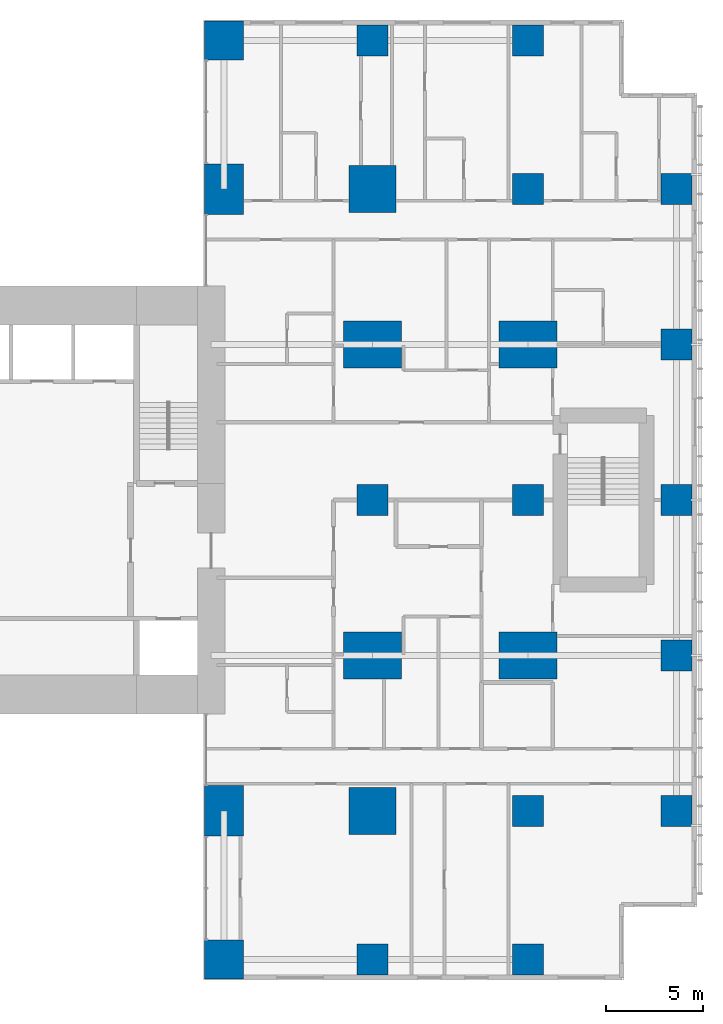
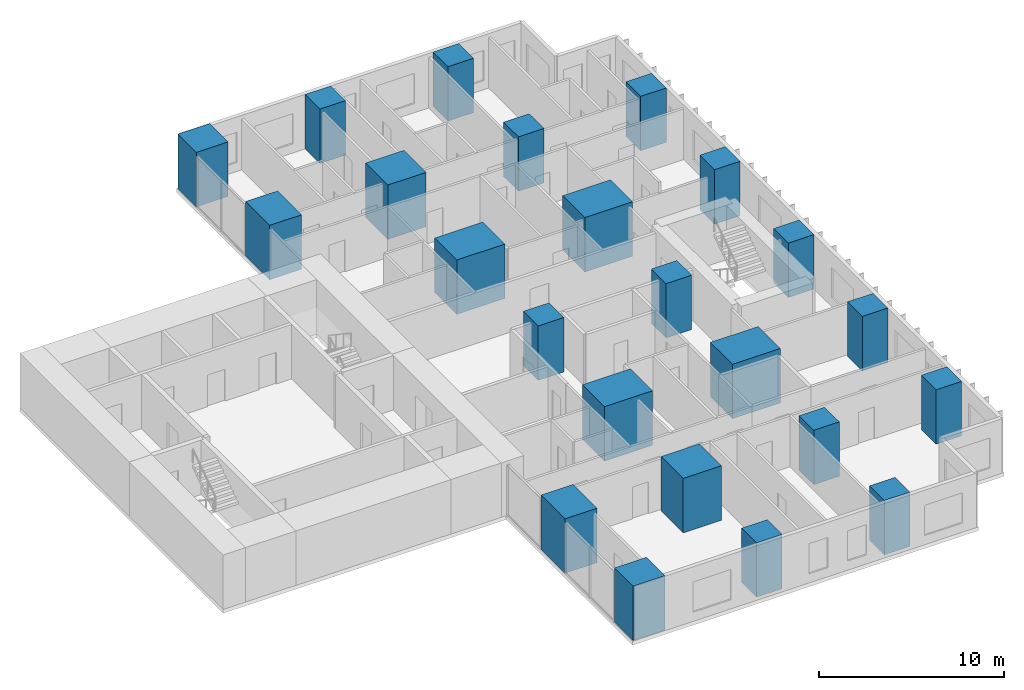
# One storey, part 1 of 12: 23 columns.
"""IFC4 building model written with IfcOpenShell, lengths in metres."""

import ifcopenshell
import ifcopenshell.guid

model = None  # the IFC model being written
_history = None  # IfcOwnerHistory: only IFC2X3 demands one
_inside = {}  # id of a spatial element -> (the spatial element, [elements in it])
_under = {}  # id of a project, library or spatial element -> (it, [spatial elements below it])
_declared = {}  # id of a project -> (the project, [libraries it declares])
_typed = {}  # id of a type object -> (the type object, [elements of that type])
_made_of = {}  # id of a material, layer set ... -> (it, [elements and type objects made of it])


def new_model(schema):
    """Start an empty IFC model of exactly this schema.

    Asked for "IFC4X3", IfcOpenShell would pick the latest addendum, in which some entities
    have other attributes; the version numbers below select the first issue.
    IFC2X3 requires an IfcOwnerHistory on every rooted entity: one is made here for all.
    """
    global model, _history
    if schema == "IFC4X3":
        model = ifcopenshell.file(schema_version=(4, 3, 0, 0))
    else:
        model = ifcopenshell.file(schema=schema)
    _inside.clear()
    _under.clear()
    _declared.clear()
    _typed.clear()
    _made_of.clear()
    _history = None
    if model.schema == "IFC2X3":
        org = make("IfcOrganization", Name="unknown")
        user = make(
            "IfcPersonAndOrganization",
            ThePerson=make("IfcPerson", FamilyName="unknown"),
            TheOrganization=org,
        )
        app = make(
            "IfcApplication",
            ApplicationDeveloper=org,
            Version="unknown",
            ApplicationFullName="unknown",
            ApplicationIdentifier="unknown",
        )
        _history = make(
            "IfcOwnerHistory",
            OwningUser=user,
            OwningApplication=app,
            ChangeAction="ADDED",
            CreationDate=0,
        )
    return model


def make(cls, **values):
    """One entity of the class cls with the attributes given. An attribute that is None is left unset."""
    return model.create_entity(
        cls, **{name: value for name, value in values.items() if value is not None}
    )


def rooted(cls, **values):
    """An entity with a GlobalId (a new one), such as an element, a storey or a relation."""
    return make(cls, GlobalId=ifcopenshell.guid.new(), OwnerHistory=_history, **values)


def si_unit(unit_type, name, prefix=None):
    """IfcSIUnit, for example si_unit("LENGTHUNIT", "METRE", prefix="MILLI")."""
    return make("IfcSIUnit", UnitType=unit_type, Prefix=prefix, Name=name)


def assignment(units):
    """IfcUnitAssignment: the units of a project."""
    return None if units is None else make("IfcUnitAssignment", Units=units)


def point(xyz):
    """IfcCartesianPoint."""
    return None if xyz is None else make("IfcCartesianPoint", Coordinates=xyz)


def direction(xyz):
    """IfcDirection."""
    return None if xyz is None else make("IfcDirection", DirectionRatios=xyz)


def frame(location, z_axis=None, x_axis=None):
    """IfcAxis2Placement3D, a coordinate frame: its origin and axes. An axis left out is left unset."""
    return make(
        "IfcAxis2Placement3D",
        Location=point(location),
        Axis=direction(z_axis),
        RefDirection=direction(x_axis),
    )


def frame_2d(location, x_axis=None):
    """IfcAxis2Placement2D, a coordinate frame in the plane: its origin and x axis."""
    return make(
        "IfcAxis2Placement2D", Location=point(location), RefDirection=direction(x_axis)
    )


def origin():
    """The frame at (0, 0, 0) with its axes left unset."""
    return frame((0.0, 0.0, 0.0))


def origin_2d():
    """The frame at (0, 0) in the plane with its x axis left unset."""
    return frame_2d((0.0, 0.0))


def place(relative_to, where):
    """IfcLocalPlacement: puts the frame where relative to a parent placement (None: the world)."""
    return make(
        "IfcLocalPlacement", PlacementRelTo=relative_to, RelativePlacement=where
    )


def context(
    kind, dimensions, precision=None, world=None, true_north=None, identifier=None
):
    """IfcGeometricRepresentationContext, for example the 3D "Model" context."""
    return make(
        "IfcGeometricRepresentationContext",
        ContextIdentifier=identifier,
        ContextType=kind,
        CoordinateSpaceDimension=dimensions,
        Precision=precision,
        WorldCoordinateSystem=world,
        TrueNorth=true_north,
    )


def subcontext(parent, identifier, kind, view, scale=None):
    """IfcGeometricRepresentationSubContext, for example "Body" below "Model"."""
    return make(
        "IfcGeometricRepresentationSubContext",
        ContextIdentifier=identifier,
        ContextType=kind,
        ParentContext=parent,
        TargetScale=scale,
        TargetView=view,
    )


def project(units=None, contexts=None):
    """IfcProject with its units and contexts."""
    return rooted(
        "IfcProject",
        Name="project",
        RepresentationContexts=contexts,
        UnitsInContext=assignment(units),
    )


def spatial(cls, under=None, at=None, **own):
    """A site, building, storey or space (cls), placed at a placement, below another one or the project."""
    s = rooted(cls, ObjectPlacement=at, **own)
    if under is not None:
        _under.setdefault(under.id(), (under, []))[1].append(s)
    return s


def profile(cls, at=None, kind="AREA", **sizes):
    """A parametric profile (cls). Its sizes go by their IFC names, for example OverallWidth=200.0."""
    return make(cls, ProfileType=kind, Position=at, **sizes)


def rectangle(**sizes):
    """IfcRectangleProfileDef."""
    return profile("IfcRectangleProfileDef", **sizes)


def extrude(swept, where, along, depth):
    """IfcExtrudedAreaSolid: the profile swept, set in the frame where, extruded along a direction by depth."""
    return make(
        "IfcExtrudedAreaSolid",
        SweptArea=swept,
        Position=where,
        ExtrudedDirection=direction(along),
        Depth=depth,
    )


def shape(context_of_items, identifier, shape_type, items):
    """IfcShapeRepresentation: the items that make up one representation, for example the "Body"."""
    return make(
        "IfcShapeRepresentation",
        ContextOfItems=context_of_items,
        RepresentationIdentifier=identifier,
        RepresentationType=shape_type,
        Items=items,
    )


def material(Name=None, Category=None):
    """IfcMaterial."""
    return make("IfcMaterial", Name=Name, Category=Category)


def material_profile(
    of_material, cross_section, Name=None, Category=None, Priority=None
):
    """IfcMaterialProfile: a cross section and its material."""
    return make(
        "IfcMaterialProfile",
        Name=Name,
        Material=of_material,
        Profile=cross_section,
        Priority=Priority,
        Category=Category,
    )


def profile_set(profiles, Name=None, composite=None):
    """IfcMaterialProfileSet."""
    return make(
        "IfcMaterialProfileSet",
        Name=Name,
        MaterialProfiles=profiles,
        CompositeProfile=composite,
    )


def made_of(thing, what):
    """Note that an element or type object is made of a material, layer set ...; save() writes the relation."""
    if what is not None:
        _made_of.setdefault(what.id(), (what, []))[1].append(thing)
    return thing


def type_object(cls, material=None, **own):
    """A type object (cls), such as IfcWallType, which elements share."""
    return made_of(rooted(cls, **own), material)


def element(
    cls,
    number,
    at=None,
    inside=None,
    cuts=None,
    type_object=None,
    material=None,
    context=None,
    identifier="Body",
    shape_type=None,
    held_by="IfcProductDefinitionShape",
    body=None,
    shapes=None,
    **own,
):
    """One element of the class cls, such as IfcWall. Its Tag is "e" and its number.

    at: its placement. inside: the storey or other place that contains it. cuts: it is an
    opening in that element (IfcRelVoidsElement). A single representation is given by context,
    identifier, shape_type and body (its items); several are given by shapes. held_by: the class
    of the entity that holds the representations. save() writes the other relations.
    """
    e = rooted(cls, Tag="e%d" % number, ObjectPlacement=at, **own)
    if body is not None:
        shapes = [shape(context, identifier, shape_type, body)]
    if shapes is not None:
        e.Representation = make(held_by, Representations=shapes)
    if inside is not None:
        _inside.setdefault(inside.id(), (inside, []))[1].append(e)
    if cuts is not None:
        rooted(
            "IfcRelVoidsElement", RelatingBuildingElement=cuts, RelatedOpeningElement=e
        )
    if type_object is not None:
        _typed.setdefault(type_object.id(), (type_object, []))[1].append(e)
    return made_of(e, material)


def aggregate(whole, parts):
    """IfcRelAggregates: a whole, such as a stair, and the parts it consists of."""
    return rooted("IfcRelAggregates", RelatingObject=whole, RelatedObjects=parts)


def save(model, path):
    """Write the relations noted so far, then the file.

    IfcRelAggregates (storeys below a building ...), IfcRelContainedInSpatialStructure (elements
    in a storey), IfcRelDefinesByType, IfcRelAssociatesMaterial and IfcRelDeclares: one each for
    every whole, place, type object, material and project.
    """
    for whole, parts in _under.values():
        aggregate(whole, parts)
    for where, things in _inside.values():
        rooted(
            "IfcRelContainedInSpatialStructure",
            RelatedElements=things,
            RelatingStructure=where,
        )
    for kind, things in _typed.values():
        rooted("IfcRelDefinesByType", RelatedObjects=things, RelatingType=kind)
    for what, things in _made_of.values():
        rooted("IfcRelAssociatesMaterial", RelatedObjects=things, RelatingMaterial=what)
    for by, libraries in _declared.values():
        rooted("IfcRelDeclares", RelatingContext=by, RelatedDefinitions=libraries)
    model.write(path)


model = new_model("IFC4")

# Units and contexts
model_context = context("Model", 3, precision=1e-05, world=origin(), true_north=direction((0.0, 1.0)))
body_context = subcontext(model_context, "Body", "Model", "MODEL_VIEW")
ifc_project = project(units=[si_unit("LENGTHUNIT", "METRE"), si_unit("AREAUNIT", "SQUARE_METRE"), si_unit("VOLUMEUNIT", "CUBIC_METRE"), si_unit("PLANEANGLEUNIT", "RADIAN"), si_unit("MASSUNIT", "GRAM", prefix="KILO")], contexts=[model_context])

# Site, building, storey
site_placement = place(None, origin())
site = spatial("IfcSite", under=ifc_project, at=site_placement, CompositionType="ELEMENT")
building_placement = place(site_placement, origin())
building = spatial("IfcBuilding", under=site, at=building_placement, Name="Cleftline Residences", CompositionType="ELEMENT")
storey_placement = place(building_placement, frame((0.0, 0.0, 255.60009765625)))
storey = spatial("IfcBuildingStorey", under=building, at=storey_placement, Name="L67", CompositionType="ELEMENT", Elevation=255.60009765625)

# Columns
ifc_material_1 = material(Name="Concrete B70", Category="concrete")
ifc_material_profile_1 = material_profile(ifc_material_1, rectangle(XDim=1.60009765625, YDim=1.60009765625, at=origin_2d()))
ifc_profile_set_1 = profile_set([ifc_material_profile_1], Name="Concrete B70")
column_type_1 = type_object("IfcColumnType", Name="COLUMN RC1600X1600", PredefinedType="COLUMN", material=ifc_profile_set_1)
for number, where, z_axis, x_axis, name in (
    (1, (50.0, 0.35009765625, 0.0), (0.0, 0.0, 1.0), (1.0, 0.0, 0.0), "Column C/9"),
    (2, (50.0, 24.0, 0.0), (0.0, 0.0, 1.0), (1.0, 0.0, 0.0), "Column F/9"),
    (3, (50.0, 47.64990234375, 0.0), (0.0, 0.0, 1.0), (1.0, 0.0, 0.0), "Column J/9"),
    (4, (58.0, 0.35009765625, 0.0), (0.0, 0.0, 1.0), (1.0, 0.0, 0.0), "Column C/10"),
    (5, (58.0, 8.0, 0.0), (0.0, 0.0, 1.0), (1.0, 0.0, 0.0), "Column D/10"),
    (6, (58.0, 24.0, 0.0), (0.0, 0.0, 1.0), (1.0, 0.0, 0.0), "Column F/10"),
    (7, (58.0, 40.0, 0.0), (0.0, 0.0, 1.0), (1.0, 0.0, 0.0), "Column H/10"),
    (8, (58.0, 47.64990234375, 0.0), (0.0, 0.0, 1.0), (1.0, 0.0, 0.0), "Column J/10"),
    (9, (65.64990234375, 8.0, 0.0), (0.0, 0.0, 1.0), (1.0, 0.0, 0.0), "Column D/11"),
    (10, (65.64990234375, 16.0, 0.0), (0.0, 0.0, 1.0), (1.0, 0.0, 0.0), "Column E/11"),
    (11, (65.64990234375, 24.0, 0.0), (0.0, 0.0, 1.0), (1.0, 0.0, 0.0), "Column F/11"),
    (12, (65.64990234375, 32.0, 0.0), (0.0, 0.0, 1.0), (1.0, 0.0, 0.0), "Column G/11"),
    (13, (65.64990234375, 40.0, 0.0), (0.0, 0.0, 1.0), (1.0, 0.0, 0.0), "Column H/11"),
):
    element("IfcColumn", number, at=place(storey_placement, frame(where, z_axis=z_axis, x_axis=x_axis)), inside=storey, type_object=column_type_1, Name=name, PredefinedType="COLUMN", context=body_context, shape_type="SweptSolid", body=[
        extrude(rectangle(XDim=1.60009765625, YDim=1.60009765625, at=origin_2d()), origin(), (0.0, 0.0, 1.0), 3.599853515625),
    ])
ifc_material_2 = material(Name="Concrete B70", Category="concrete")
ifc_material_profile_2 = material_profile(ifc_material_2, rectangle(XDim=2.0, YDim=2.0, at=origin_2d()))
ifc_profile_set_2 = profile_set([ifc_material_profile_2], Name="Concrete B70")
column_type_2 = type_object("IfcColumnType", Name="COLUMN RC2000X2000", PredefinedType="COLUMN", material=ifc_profile_set_2)
for number, where, z_axis, x_axis, name in (
    (14, (42.35009765625, 0.35009765625, 0.0), (0.0, 0.0, 1.0), (1.0, 0.0, 0.0), "Column C/8"),
    (15, (42.35009765625, 47.64990234375, 0.0), (0.0, 0.0, 1.0), (1.0, 0.0, 0.0), "Column J/8"),
):
    element("IfcColumn", number, at=place(storey_placement, frame(where, z_axis=z_axis, x_axis=x_axis)), inside=storey, type_object=column_type_2, Name=name, PredefinedType="COLUMN", context=body_context, shape_type="SweptSolid", body=[
        extrude(rectangle(XDim=2.0, YDim=2.0, at=origin_2d()), origin(), (0.0, 0.0, 1.0), 3.599853515625),
    ])
ifc_material_3 = material(Name="Concrete B70", Category="concrete")
ifc_material_profile_3 = material_profile(ifc_material_3, rectangle(XDim=2.0, YDim=2.60009765625, at=origin_2d()))
ifc_profile_set_3 = profile_set([ifc_material_profile_3], Name="Concrete B70")
column_type_3 = type_object("IfcColumnType", Name="COLUMN RC2000X2600", PredefinedType="COLUMN", material=ifc_profile_set_3)
for number, where, z_axis, x_axis, name in (
    (16, (42.35009765625, 8.0, 0.0), (0.0, 0.0, 1.0), (1.0, 0.0, 0.0), "Column D/8"),
    (17, (42.35009765625, 40.0, 0.0), (0.0, 0.0, 1.0), (1.0, 0.0, 0.0), "Column H/8"),
):
    element("IfcColumn", number, at=place(storey_placement, frame(where, z_axis=z_axis, x_axis=x_axis)), inside=storey, type_object=column_type_3, Name=name, PredefinedType="COLUMN", context=body_context, shape_type="SweptSolid", body=[
        extrude(rectangle(XDim=2.0, YDim=2.60009765625, at=origin_2d()), origin(), (0.0, 0.0, 1.0), 3.599853515625),
    ])
ifc_material_4 = material(Name="Concrete B70", Category="concrete")
ifc_material_profile_4 = material_profile(ifc_material_4, rectangle(XDim=2.39990234375, YDim=2.39990234375, at=origin_2d()))
ifc_profile_set_4 = profile_set([ifc_material_profile_4], Name="Concrete B70")
column_type_4 = type_object("IfcColumnType", Name="COLUMN RC2400X2400", PredefinedType="COLUMN", material=ifc_profile_set_4)
for number, where, z_axis, x_axis, name in (
    (18, (50.0, 8.0, 0.0), (0.0, 0.0, 1.0), (1.0, 0.0, 0.0), "Column D/9"),
    (19, (50.0, 40.0, 0.0), (0.0, 0.0, 1.0), (1.0, 0.0, 0.0), "Column H/9"),
):
    element("IfcColumn", number, at=place(storey_placement, frame(where, z_axis=z_axis, x_axis=x_axis)), inside=storey, type_object=column_type_4, Name=name, PredefinedType="COLUMN", context=body_context, shape_type="SweptSolid", body=[
        extrude(rectangle(XDim=2.39990234375, YDim=2.39990234375, at=origin_2d()), origin(), (0.0, 0.0, 1.0), 3.599853515625),
    ])
ifc_material_5 = material(Name="Concrete B70", Category="concrete")
ifc_material_profile_5 = material_profile(ifc_material_5, rectangle(XDim=3.0, YDim=2.39990234375, at=origin_2d()))
ifc_profile_set_5 = profile_set([ifc_material_profile_5], Name="Concrete B70")
column_type_5 = type_object("IfcColumnType", Name="COLUMN RC3000X2400", PredefinedType="COLUMN", material=ifc_profile_set_5)
for number, where, z_axis, x_axis, name in (
    (20, (50.0, 16.0, 0.0), (0.0, 0.0, 1.0), (1.0, 0.0, 0.0), "Column E/9"),
    (21, (50.0, 32.0, 0.0), (0.0, 0.0, 1.0), (1.0, 0.0, 0.0), "Column G/9"),
    (22, (58.0, 16.0, 0.0), (0.0, 0.0, 1.0), (1.0, 0.0, 0.0), "Column E/10"),
    (23, (58.0, 32.0, 0.0), (0.0, 0.0, 1.0), (1.0, 0.0, 0.0), "Column G/10"),
):
    element("IfcColumn", number, at=place(storey_placement, frame(where, z_axis=z_axis, x_axis=x_axis)), inside=storey, type_object=column_type_5, Name=name, PredefinedType="COLUMN", context=body_context, shape_type="SweptSolid", body=[
        extrude(rectangle(XDim=3.0, YDim=2.39990234375, at=origin_2d()), origin(), (0.0, 0.0, 1.0), 3.599853515625),
    ])

save(model, "model.ifc")
